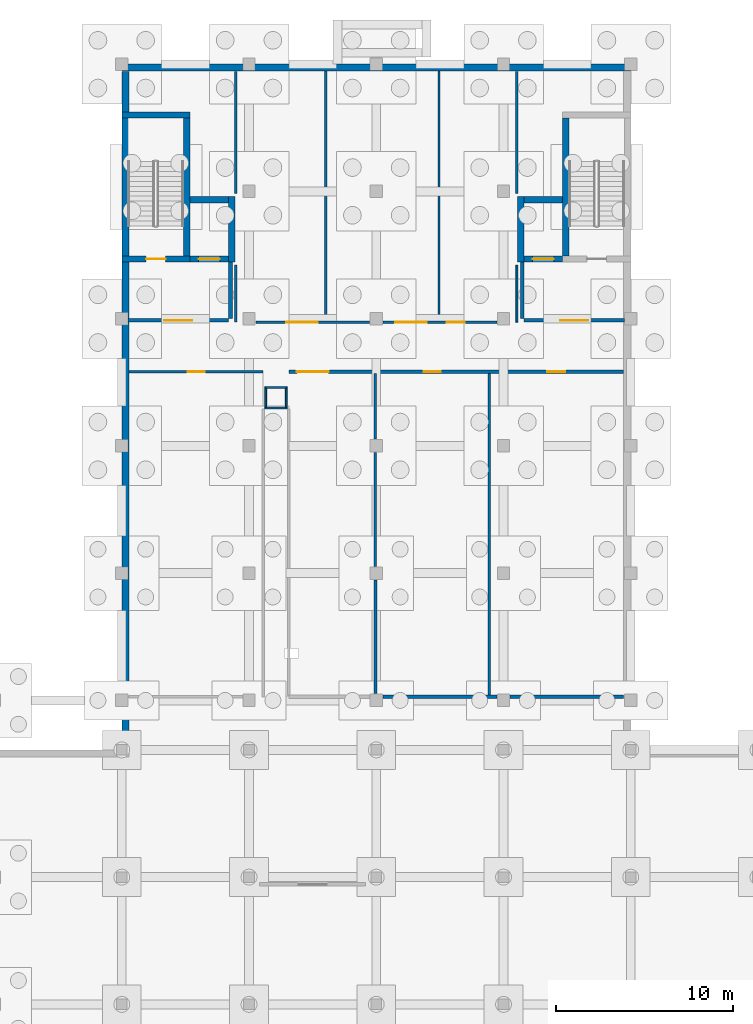
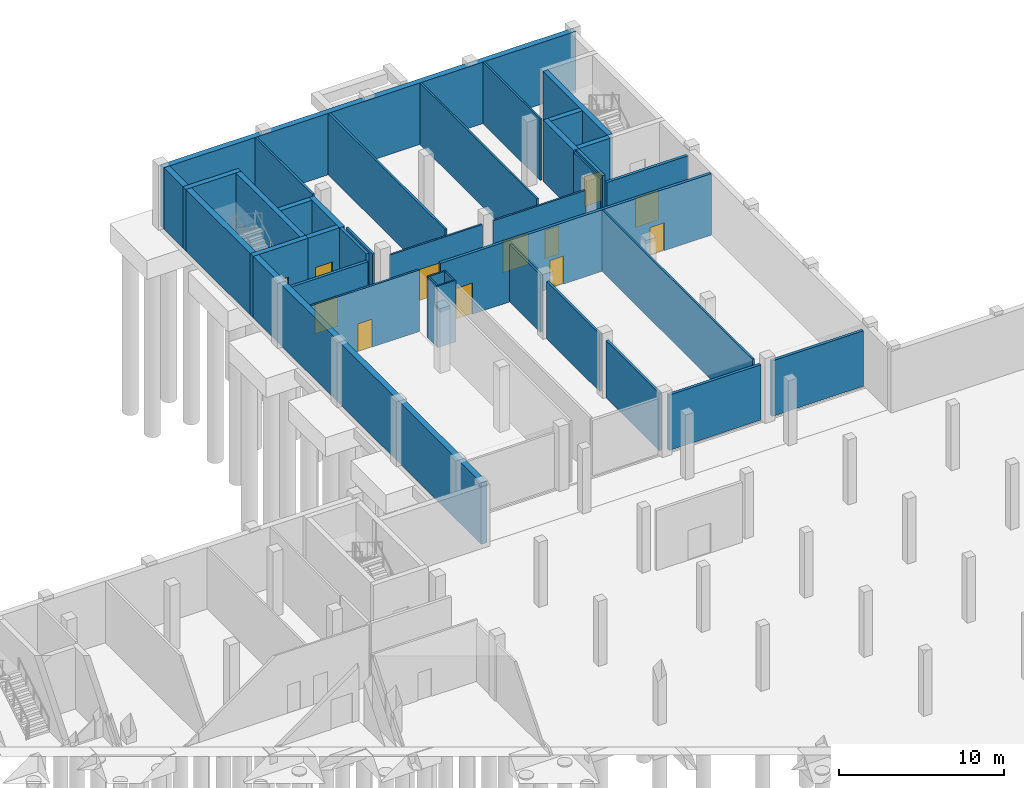
# One storey, part 22 of 35: 36 walls, 12 doors, 12 openings.
"""IFC4 building model written with IfcOpenShell, lengths in metres."""

from ifc_helpers import new_model, si_unit, direction, frame, frame_2d, origin, place, context, subcontext, project, spatial, rectangle, extrude, material, layer, layer_set, type_object, element, fill, save


model = new_model("IFC4")

# Units and contexts
model_context = context("Model", 3, precision=1e-05, world=origin(), true_north=direction((0.0, 1.0)))
body_context = subcontext(model_context, "Body", "Model", "MODEL_VIEW")
ifc_project = project(units=[si_unit("LENGTHUNIT", "METRE"), si_unit("AREAUNIT", "SQUARE_METRE"), si_unit("VOLUMEUNIT", "CUBIC_METRE"), si_unit("PLANEANGLEUNIT", "RADIAN"), si_unit("MASSUNIT", "GRAM", prefix="KILO")], contexts=[model_context])

# Site, building, storey
site_placement = place(None, origin())
site = spatial("IfcSite", under=ifc_project, at=site_placement, CompositionType="ELEMENT")
building_placement = place(site_placement, origin())
building = spatial("IfcBuilding", under=site, at=building_placement, Name="Zarrinpeak Specialist Clinic", CompositionType="ELEMENT")
storey_placement = place(building_placement, frame((0.0, 0.0, -4.800048828125)))
storey = spatial("IfcBuildingStorey", under=building, at=storey_placement, Name="B01", CompositionType="ELEMENT", Elevation=-4.800048828125)

# Wall, opening, door
ifc_material_1 = material(Name="Concrete C40/50", Category="concrete")
ifc_layer_1 = layer(ifc_material_1, 0.35009765625)
ifc_layer_set_1 = layer_set([ifc_layer_1], Name="Concrete C40/50")
wall_type_1 = type_object("IfcWallType", Name="WL-CR350", PredefinedType="SHEAR", material=ifc_layer_set_1)
wall_1_placement = place(storey_placement, frame((36.0, 106.97509765625, 0.0), z_axis=(0.0, 0.0, 1.0), x_axis=(1.0, 0.0, 0.0)))
wall_1 = element("IfcWall", 1, at=wall_1_placement, inside=storey, type_object=wall_type_1, Name="B01 Core C11 Shear Wall STS", PredefinedType="SHEAR", context=body_context, shape_type="SweptSolid", body=[
    extrude(rectangle(XDim=3.85009765625, YDim=0.35009765625, at=frame_2d((1.925048828125, 0.0))), origin(), (0.0, 0.0, 1.0), 4.545166015625),
])
opening_1_placement = place(wall_1_placement, frame((1.375, 0.0, 0.0)))
opening_1 = element("IfcOpeningElement", 2, at=opening_1_placement, cuts=wall_1, Name="Opening D-S02", PredefinedType="OPENING", context=body_context, shape_type="SweptSolid", body=[
    extrude(rectangle(XDim=1.10009765625, YDim=2.14990234375, at=frame_2d((0.550048828125, 1.074951171875))), frame((0.0, 0.18505859375, 0.0), z_axis=(0.0, -1.0, 0.0), x_axis=(1.0, 0.0, 0.0)), (0.0, 0.0, 1.0), 0.3701171875),
])
ifc_material_2 = material(Name="Powder-Coated Galvanised Steel", Category="steel")
door_type_1 = type_object("IfcDoorType", Name="DR-FD110", OperationType="SINGLE_SWING_RIGHT", PredefinedType="DOOR", material=ifc_material_2)
door_1_placement = place(opening_1_placement, origin())
door_1 = element("IfcDoor", 3, at=door_1_placement, inside=storey, type_object=door_type_1, Name="B01 Protected Stair ST-11 Fire Door", OperationType="SINGLE_SWING_RIGHT", OverallHeight=2.14990234375, OverallWidth=1.10009765625, PredefinedType="DOOR", context=body_context, shape_type="SweptSolid", body=[
    extrude(rectangle(XDim=1.10009765625, YDim=2.14990234375, at=frame_2d((0.550048828125, 1.074951171875))), frame((0.0, 0.02490234375, 0.0), z_axis=(0.0, -1.0, 0.0), x_axis=(1.0, 0.0, 0.0)), (0.0, 0.0, 1.0), 0.050048828125),
])
fill(opening_1, door_1)

# Walls
wall_2_placement = place(storey_placement, frame((36.0, 115.125, 0.0), z_axis=(0.0, 0.0, 1.0), x_axis=(1.0, 0.0, 0.0)))
element("IfcWall", 4, at=wall_2_placement, inside=storey, type_object=wall_type_1, Name="B01 Core C11 Shear Wall STN", PredefinedType="SHEAR", context=body_context, shape_type="SweptSolid", body=[
    extrude(rectangle(XDim=3.85009765625, YDim=0.35009765625, at=frame_2d((1.925048828125, 0.0))), origin(), (0.0, 0.0, 1.0), 4.545166015625),
])
wall_3_placement = place(storey_placement, frame((39.675048828125, 107.14990234375, 0.0), z_axis=(0.0, 0.0, 1.0), x_axis=(0.0, 1.0, 0.0)))
element("IfcWall", 5, at=wall_3_placement, inside=storey, type_object=wall_type_1, Name="B01 Core C11 Shear Wall STE", PredefinedType="SHEAR", context=body_context, shape_type="SweptSolid", body=[
    extrude(rectangle(XDim=7.800048828125, YDim=0.35009765625, at=frame_2d((3.89990234375, 0.0))), origin(), (0.0, 0.0, 1.0), 4.545166015625),
])

# Wall, opening, door
wall_4_placement = place(storey_placement, frame((39.85009765625, 106.97509765625, 0.0), z_axis=(0.0, 0.0, 1.0), x_axis=(1.0, 0.0, 0.0)))
wall_4 = element("IfcWall", 6, at=wall_4_placement, inside=storey, type_object=wall_type_1, Name="B01 Lift LF-P1 Shaft Wall LFS", PredefinedType="SHEAR", context=body_context, shape_type="SweptSolid", body=[
    extrude(rectangle(XDim=2.199951171875, YDim=0.35009765625, at=frame_2d((1.10009765625, 0.0))), origin(), (0.0, 0.0, 1.0), 4.545166015625),
])
opening_2_placement = place(wall_4_placement, frame((0.5, 0.0, 0.0)))
opening_2 = element("IfcOpeningElement", 7, at=opening_2_placement, cuts=wall_4, Name="Opening LD-02", PredefinedType="OPENING", context=body_context, shape_type="SweptSolid", body=[
    extrude(rectangle(XDim=1.199951171875, YDim=2.199951171875, at=frame_2d((0.60009765625, 1.10009765625))), frame((0.0, 0.18505859375, 0.0), z_axis=(0.0, -1.0, 0.0), x_axis=(1.0, 0.0, 0.0)), (0.0, 0.0, 1.0), 0.3701171875),
])
door_type_2 = type_object("IfcDoorType", Name="DR-LD120", OperationType="SLIDING_TO_RIGHT", PredefinedType="DOOR", material=ifc_material_2)
door_2_placement = place(opening_2_placement, origin())
door_2 = element("IfcDoor", 8, at=door_2_placement, inside=storey, type_object=door_type_2, Name="B01 Lift LF-P1 Sliding Landing Door", OperationType="SLIDING_TO_RIGHT", OverallHeight=2.199951171875, OverallWidth=1.199951171875, PredefinedType="DOOR", context=body_context, shape_type="SweptSolid", body=[
    extrude(rectangle(XDim=1.199951171875, YDim=2.199951171875, at=frame_2d((0.60009765625, 1.10009765625))), frame((0.0, 0.02490234375, 0.0), z_axis=(0.0, -1.0, 0.0), x_axis=(1.0, 0.0, 0.0)), (0.0, 0.0, 1.0), 0.050048828125),
])
fill(opening_2, door_2)

# Walls
wall_5_placement = place(storey_placement, frame((39.85009765625, 110.324951171875, 0.0), z_axis=(0.0, 0.0, 1.0), x_axis=(1.0, 0.0, 0.0)))
element("IfcWall", 9, at=wall_5_placement, inside=storey, type_object=wall_type_1, Name="B01 Lift LF-P1 Shaft Wall LFN", PredefinedType="SHEAR", context=body_context, shape_type="SweptSolid", body=[
    extrude(rectangle(XDim=2.199951171875, YDim=0.35009765625, at=frame_2d((1.10009765625, 0.0))), origin(), (0.0, 0.0, 1.0), 4.545166015625),
])
wall_6_placement = place(storey_placement, frame((42.22509765625, 106.800048828125, 0.0), z_axis=(0.0, 0.0, 1.0), x_axis=(0.0, 1.0, 0.0)))
element("IfcWall", 10, at=wall_6_placement, inside=storey, type_object=wall_type_1, Name="B01 Lift LF-P1 Shaft Wall LFE", PredefinedType="SHEAR", context=body_context, shape_type="SweptSolid", body=[
    extrude(rectangle(XDim=3.699951171875, YDim=0.35009765625, at=frame_2d((1.85009765625, 0.0))), origin(), (0.0, 0.0, 1.0), 4.545166015625),
])
wall_7_placement = place(storey_placement, frame((61.125, 107.14990234375, 0.0), z_axis=(0.0, 0.0, 1.0), x_axis=(0.0, 1.0, 0.0)))
element("IfcWall", 11, at=wall_7_placement, inside=storey, type_object=wall_type_1, Name="B01 Core C12 Shear Wall STW", PredefinedType="SHEAR", context=body_context, shape_type="SweptSolid", body=[
    extrude(rectangle(XDim=7.800048828125, YDim=0.35009765625, at=frame_2d((3.89990234375, 0.0))), origin(), (0.0, 0.0, 1.0), 4.545166015625),
])

# Wall, opening, door
wall_8_placement = place(storey_placement, frame((58.75, 106.97509765625, 0.0), z_axis=(0.0, 0.0, 1.0), x_axis=(1.0, 0.0, 0.0)))
wall_8 = element("IfcWall", 12, at=wall_8_placement, inside=storey, type_object=wall_type_1, Name="B01 Lift LF-P6 Shaft Wall LFS", PredefinedType="SHEAR", context=body_context, shape_type="SweptSolid", body=[
    extrude(rectangle(XDim=2.199951171875, YDim=0.35009765625, at=frame_2d((1.10009765625, 0.0))), origin(), (0.0, 0.0, 1.0), 4.545166015625),
])
opening_3_placement = place(wall_8_placement, frame((0.5, 0.0, 0.0)))
opening_3 = element("IfcOpeningElement", 13, at=opening_3_placement, cuts=wall_8, Name="Opening LD-02", PredefinedType="OPENING", context=body_context, shape_type="SweptSolid", body=[
    extrude(rectangle(XDim=1.199951171875, YDim=2.199951171875, at=frame_2d((0.60009765625, 1.10009765625))), frame((0.0, 0.18505859375, 0.0), z_axis=(0.0, -1.0, 0.0), x_axis=(1.0, 0.0, 0.0)), (0.0, 0.0, 1.0), 0.3701171875),
])
door_3_placement = place(opening_3_placement, origin())
door_3 = element("IfcDoor", 14, at=door_3_placement, inside=storey, type_object=door_type_2, Name="B01 Lift LF-P6 Sliding Landing Door", OperationType="SLIDING_TO_RIGHT", OverallHeight=2.199951171875, OverallWidth=1.199951171875, PredefinedType="DOOR", context=body_context, shape_type="SweptSolid", body=[
    extrude(rectangle(XDim=1.199951171875, YDim=2.199951171875, at=frame_2d((0.60009765625, 1.10009765625))), frame((0.0, 0.02490234375, 0.0), z_axis=(0.0, -1.0, 0.0), x_axis=(1.0, 0.0, 0.0)), (0.0, 0.0, 1.0), 0.050048828125),
])
fill(opening_3, door_3)

# Walls
wall_9_placement = place(storey_placement, frame((58.75, 110.324951171875, 0.0), z_axis=(0.0, 0.0, 1.0), x_axis=(1.0, 0.0, 0.0)))
element("IfcWall", 15, at=wall_9_placement, inside=storey, type_object=wall_type_1, Name="B01 Lift LF-P6 Shaft Wall LFN", PredefinedType="SHEAR", context=body_context, shape_type="SweptSolid", body=[
    extrude(rectangle(XDim=2.199951171875, YDim=0.35009765625, at=frame_2d((1.10009765625, 0.0))), origin(), (0.0, 0.0, 1.0), 4.545166015625),
])
wall_10_placement = place(storey_placement, frame((58.574951171875, 106.800048828125, 0.0), z_axis=(0.0, 0.0, 1.0), x_axis=(0.0, 1.0, 0.0)))
element("IfcWall", 16, at=wall_10_placement, inside=storey, type_object=wall_type_1, Name="B01 Lift LF-P6 Shaft Wall LFW", PredefinedType="SHEAR", context=body_context, shape_type="SweptSolid", body=[
    extrude(rectangle(XDim=3.699951171875, YDim=0.35009765625, at=frame_2d((1.85009765625, 0.0))), origin(), (0.0, 0.0, 1.0), 4.545166015625),
])
ifc_material_3 = material(Name="Sanitary Service Chase Plumbing Wall", Category="gypsum")
ifc_layer_2 = layer(ifc_material_3, 0.110107421875)
ifc_layer_set_2 = layer_set([ifc_layer_2], Name="Sanitary Service Chase Plumbing Wall")
wall_type_2 = type_object("IfcWallType", Name="WL-IW110", PredefinedType="PARTITIONING", material=ifc_layer_set_2)
for number, where, z_axis, x_axis, name in (
    (17, (44.090087890625, 98.544921875, 0.0), (0.0, 0.0, 1.0), (1.0, 0.0, 0.0), "B01 V6 Enclosed MEP Service Riser Wall S"),
    (18, (44.090087890625, 99.705078125, 0.0), (0.0, 0.0, 1.0), (1.0, 0.0, 0.0), "B01 V6 Enclosed MEP Service Riser Wall N"),
):
    element("IfcWall", number, at=place(storey_placement, frame(where, z_axis=z_axis, x_axis=x_axis)), inside=storey, type_object=wall_type_2, Name=name, PredefinedType="PARTITIONING", context=body_context, shape_type="SweptSolid", body=[
        extrude(rectangle(XDim=1.27001953125, YDim=0.110107421875, at=frame_2d((0.635009765625, 0.0))), origin(), (0.0, 0.0, 1.0), 4.5400390625),
    ])
for number, where, z_axis, x_axis, name in (
    (19, (44.14501953125, 98.60009765625, 0.0), (0.0, 0.0, 1.0), (0.0, 1.0, 0.0), "B01 V6 Enclosed MEP Service Riser Wall W"),
    (20, (45.304931640625, 98.60009765625, 0.0), (0.0, 0.0, 1.0), (0.0, 1.0, 0.0), "B01 V6 Enclosed MEP Service Riser Wall E"),
):
    element("IfcWall", number, at=place(storey_placement, frame(where, z_axis=z_axis, x_axis=x_axis)), inside=storey, type_object=wall_type_2, Name=name, PredefinedType="PARTITIONING", context=body_context, shape_type="SweptSolid", body=[
        extrude(rectangle(XDim=1.0498046875, YDim=0.110107421875, at=frame_2d((0.52490234375, 0.0))), origin(), (0.0, 0.0, 1.0), 4.5400390625),
    ])
wall_11_placement = place(storey_placement, frame((58.35009765625, 103.39990234375, 0.0), z_axis=(0.0, 0.0, 1.0), x_axis=(0.0, 1.0, 0.0)))
element("IfcWall", 21, at=wall_11_placement, inside=storey, type_object=wall_type_2, Name="B01 Accessible Lab Staff WC Dividing Partition", PredefinedType="PARTITIONING", context=body_context, shape_type="SweptSolid", body=[
    extrude(rectangle(XDim=3.22509765625, YDim=0.110107421875, at=frame_2d((1.612548828125, 0.0))), origin(), (0.0, 0.0, 1.0), 4.545166015625),
])

# Wall, opening, door
ifc_material_4 = material(Name="Moisture-Resistant Wet-Room Partition", Category="gypsum")
ifc_layer_3 = layer(ifc_material_4, 0.125)
ifc_layer_set_3 = layer_set([ifc_layer_3], Name="Moisture-Resistant Wet-Room Partition")
wall_type_3 = type_object("IfcWallType", Name="WL-IW125W", PredefinedType="PARTITIONING", material=ifc_layer_set_3)
wall_12_placement = place(storey_placement, frame((43.580078125, 103.39990234375, 0.0), z_axis=(0.0, 0.0, 1.0), x_axis=(1.0, 0.0, 0.0)))
wall_12 = element("IfcWall", 22, at=wall_12_placement, inside=storey, type_object=wall_type_3, Name="B01 Accessible Lab Staff WC Partition", PredefinedType="PARTITIONING", context=body_context, shape_type="SweptSolid", body=[
    extrude(rectangle(XDim=6.43994140625, YDim=0.125, at=frame_2d((3.219970703125, 0.0))), origin(), (0.0, 0.0, 1.0), 4.094970703125),
])
opening_4_placement = place(wall_12_placement, frame((1.719970703125, 0.0, 0.0)))
opening_4 = element("IfcOpeningElement", 23, at=opening_4_placement, cuts=wall_12, Name="Opening D-P01", PredefinedType="OPENING", context=body_context, shape_type="SweptSolid", body=[
    extrude(rectangle(XDim=1.800048828125, YDim=2.300048828125, at=frame_2d((0.89990234375, 1.14990234375))), frame((0.0, 0.072509765625, 0.0), z_axis=(0.0, -1.0, 0.0), x_axis=(1.0, 0.0, 0.0)), (0.0, 0.0, 1.0), 0.14501953125),
])
door_type_3 = type_object("IfcDoorType", Name="DR-PLT180", OperationType="DOUBLE_DOOR_SINGLE_SWING", PredefinedType="DOOR", material=ifc_material_2)
door_4_placement = place(opening_4_placement, frame((1.800048828125, 0.0, 0.0), z_axis=(0.0, 0.0, 1.0), x_axis=(-1.0, 0.0, 0.0)))
door_4 = element("IfcDoor", 24, at=door_4_placement, inside=storey, type_object=door_type_3, Name="B01 Biobank Cryogenic Freezer Vault Door", OperationType="DOUBLE_DOOR_SINGLE_SWING", OverallHeight=2.300048828125, OverallWidth=1.800048828125, PredefinedType="DOOR", context=body_context, shape_type="SweptSolid", body=[
    extrude(rectangle(XDim=1.800048828125, YDim=2.300048828125, at=frame_2d((0.89990234375, 1.14990234375))), frame((0.0, 0.02490234375, 0.0), z_axis=(0.0, -1.0, 0.0), x_axis=(1.0, 0.0, 0.0)), (0.0, 0.0, 1.0), 0.050048828125),
])
fill(opening_4, door_4)

# Wall, openings, doors
wall_13_placement = place(storey_placement, frame((50.780029296875, 103.39990234375, 0.0), z_axis=(0.0, 0.0, 1.0), x_axis=(1.0, 0.0, 0.0)))
wall_13 = element("IfcWall", 25, at=wall_13_placement, inside=storey, type_object=wall_type_3, Name="B01 Accessible Lab Staff WC Partition", PredefinedType="PARTITIONING", context=body_context, shape_type="SweptSolid", body=[
    extrude(rectangle(XDim=6.43994140625, YDim=0.125, at=frame_2d((3.219970703125, 0.0))), origin(), (0.0, 0.0, 1.0), 4.094970703125),
])
opening_5_placement = place(wall_13_placement, frame((3.6201171875, 0.0, 0.0)))
opening_5 = element("IfcOpeningElement", 26, at=opening_5_placement, cuts=wall_13, Name="Opening D-W02", PredefinedType="OPENING", context=body_context, shape_type="SweptSolid", body=[
    extrude(rectangle(XDim=1.0, YDim=2.10009765625, at=frame_2d((0.5, 1.050048828125))), frame((0.0, 0.072509765625, 0.0), z_axis=(0.0, -1.0, 0.0), x_axis=(1.0, 0.0, 0.0)), (0.0, 0.0, 1.0), 0.14501953125),
])
opening_6_placement = place(wall_13_placement, frame((0.68505859375, 0.0, 0.0)))
opening_6 = element("IfcOpeningElement", 27, at=opening_6_placement, cuts=wall_13, Name="Opening D-P01", PredefinedType="OPENING", context=body_context, shape_type="SweptSolid", body=[
    extrude(rectangle(XDim=1.800048828125, YDim=2.300048828125, at=frame_2d((0.89990234375, 1.14990234375))), frame((0.0, 0.072509765625, 0.0), z_axis=(0.0, -1.0, 0.0), x_axis=(1.0, 0.0, 0.0)), (0.0, 0.0, 1.0), 0.14501953125),
])
door_type_4 = type_object("IfcDoorType", Name="DR-AWC100", OperationType="SLIDING_TO_LEFT", PredefinedType="DOOR", material=ifc_material_2)
door_5_placement = place(opening_5_placement, frame((1.0, 0.0, 0.0), z_axis=(0.0, 0.0, 1.0), x_axis=(-1.0, 0.0, 0.0)))
door_5 = element("IfcDoor", 28, at=door_5_placement, inside=storey, type_object=door_type_4, Name="B01 Accessible Lab Staff WC Door", OperationType="SLIDING_TO_LEFT", OverallHeight=2.10009765625, OverallWidth=1.0, PredefinedType="DOOR", context=body_context, shape_type="SweptSolid", body=[
    extrude(rectangle(XDim=1.0, YDim=2.10009765625, at=frame_2d((0.5, 1.050048828125))), frame((0.0, 0.02490234375, 0.0), z_axis=(0.0, -1.0, 0.0), x_axis=(1.0, 0.0, 0.0)), (0.0, 0.0, 1.0), 0.050048828125),
])
fill(opening_5, door_5)
door_6_placement = place(opening_6_placement, frame((1.800048828125, 0.0, 0.0), z_axis=(0.0, 0.0, 1.0), x_axis=(-1.0, 0.0, 0.0)))
door_6 = element("IfcDoor", 29, at=door_6_placement, inside=storey, type_object=door_type_3, Name="B01 Laboratory Chemical Store Door", OperationType="DOUBLE_DOOR_SINGLE_SWING", OverallHeight=2.300048828125, OverallWidth=1.800048828125, PredefinedType="DOOR", context=body_context, shape_type="SweptSolid", body=[
    extrude(rectangle(XDim=1.800048828125, YDim=2.300048828125, at=frame_2d((0.89990234375, 1.14990234375))), frame((0.0, 0.02490234375, 0.0), z_axis=(0.0, -1.0, 0.0), x_axis=(1.0, 0.0, 0.0)), (0.0, 0.0, 1.0), 0.050048828125),
])
fill(opening_6, door_6)

# Walls
wall_14_placement = place(storey_placement, frame((53.949951171875, 103.46240234375, 0.0), z_axis=(0.0, 0.0, 1.0), x_axis=(0.0, 1.0, 0.0)))
element("IfcWall", 30, at=wall_14_placement, inside=storey, type_object=wall_type_3, Name="B01 Accessible Lab Staff WC Dividing Partition", PredefinedType="PARTITIONING", context=body_context, shape_type="SweptSolid", body=[
    extrude(rectangle(XDim=14.1376953125, YDim=0.125, at=frame_2d((7.06884765625, 0.0))), origin(), (0.0, 0.0, 1.0), 4.545166015625),
])
wall_15_placement = place(storey_placement, frame((58.35009765625, 110.675048828125, 0.0), z_axis=(0.0, 0.0, 1.0), x_axis=(0.0, 1.0, 0.0)))
element("IfcWall", 31, at=wall_15_placement, inside=storey, type_object=wall_type_3, Name="B01 Accessible Lab Staff WC Dividing Partition", PredefinedType="PARTITIONING", context=body_context, shape_type="SweptSolid", body=[
    extrude(rectangle(XDim=6.925048828125, YDim=0.125, at=frame_2d((3.46240234375, 0.0))), origin(), (0.0, 0.0, 1.0), 4.545166015625),
])
ifc_material_5 = material(Name="Standard Drywall Partition", Category="gypsum")
ifc_layer_4 = layer(ifc_material_5, 0.135009765625)
ifc_layer_set_4 = layer_set([ifc_layer_4], Name="Standard Drywall Partition")
wall_type_4 = type_object("IfcWallType", Name="WL-IW135", PredefinedType="PARTITIONING", material=ifc_layer_set_4)
wall_16_placement = place(storey_placement, frame((56.800048828125, 82.300048828125, 0.0), z_axis=(0.0, 0.0, 1.0), x_axis=(0.0, 1.0, 0.0)))
element("IfcWall", 32, at=wall_16_placement, inside=storey, type_object=wall_type_4, Name="B01 Specialist Consultation Room 1 Dividing Partition", PredefinedType="PARTITIONING", context=body_context, shape_type="SweptSolid", body=[
    extrude(rectangle(XDim=18.199951171875, YDim=0.135009765625, at=frame_2d((9.10009765625, 0.0))), origin(), (0.0, 0.0, 1.0), 4.545166015625),
])

# Wall, opening, door
ifc_material_6 = material(Name="Acoustic Consultation Stud Partition", Category="gypsum")
ifc_layer_5 = layer(ifc_material_6, 0.14208984375)
ifc_layer_set_5 = layer_set([ifc_layer_5], Name="Acoustic Consultation Stud Partition")
wall_type_5 = type_object("IfcWallType", Name="WL-IW142", PredefinedType="PARTITIONING", material=ifc_layer_set_5)
wall_17_placement = place(storey_placement, frame((36.419921875, 100.60009765625, 0.0), z_axis=(0.0, 0.0, 1.0), x_axis=(1.0, 0.0, 0.0)))
wall_17 = element("IfcWall", 33, at=wall_17_placement, inside=storey, type_object=wall_type_5, Name="B01 Specialist Consultation Room 2 Partition", PredefinedType="PARTITIONING", context=body_context, shape_type="SweptSolid", body=[
    extrude(rectangle(XDim=7.580078125, YDim=0.14208984375, at=frame_2d((3.7900390625, 0.0))), origin(), (0.0, 0.0, 1.0), 4.545166015625),
])
opening_7_placement = place(wall_17_placement, frame((3.298095703125, 0.0, 0.0)))
opening_7 = element("IfcOpeningElement", 34, at=opening_7_placement, cuts=wall_17, Name="Opening DS-18", PredefinedType="OPENING", context=body_context, shape_type="SweptSolid", body=[
    extrude(rectangle(XDim=0.98388671875, YDim=2.068115234375, at=frame_2d((0.491943359375, 1.0341796875))), frame((0.0, 0.0810546875, 0.0), z_axis=(0.0, -1.0, 0.0), x_axis=(1.0, 0.0, 0.0)), (0.0, 0.0, 1.0), 0.162109375),
])
door_type_5 = type_object("IfcDoorType", Name="DR-SP18", OperationType="SINGLE_SWING_LEFT", PredefinedType="DOOR", material=ifc_material_2)
door_7_placement = place(opening_7_placement, origin())
door_7 = element("IfcDoor", 35, at=door_7_placement, inside=storey, type_object=door_type_5, Name="B01 Specialist Consultation Room 2 Door", OperationType="SINGLE_SWING_LEFT", OverallHeight=2.068115234375, OverallWidth=0.98388671875, PredefinedType="DOOR", context=body_context, shape_type="SweptSolid", body=[
    extrude(rectangle(XDim=0.98388671875, YDim=2.068115234375, at=frame_2d((0.491943359375, 1.0341796875))), frame((0.0, 0.02490234375, 0.0), z_axis=(0.0, -1.0, 0.0), x_axis=(1.0, 0.0, 0.0)), (0.0, 0.0, 1.0), 0.050048828125),
])
fill(opening_7, door_7)

# Walls
wall_18_placement = place(storey_placement, frame((42.449951171875, 110.675048828125, 0.0), z_axis=(0.0, 0.0, 1.0), x_axis=(0.0, 1.0, 0.0)))
element("IfcWall", 36, at=wall_18_placement, inside=storey, type_object=wall_type_5, Name="B01 Biobank Cryogenic Freezer Vault Dividing Partition", PredefinedType="PARTITIONING", context=body_context, shape_type="SweptSolid", body=[
    extrude(rectangle(XDim=6.925048828125, YDim=0.14208984375, at=frame_2d((3.46240234375, 0.0))), origin(), (0.0, 0.0, 1.0), 4.545166015625),
])
wall_19_placement = place(storey_placement, frame((47.550048828125, 103.46240234375, 0.0), z_axis=(0.0, 0.0, 1.0), x_axis=(0.0, 1.0, 0.0)))
element("IfcWall", 37, at=wall_19_placement, inside=storey, type_object=wall_type_5, Name="B01 Biobank Cryogenic Freezer Vault Dividing Partition", PredefinedType="PARTITIONING", context=body_context, shape_type="SweptSolid", body=[
    extrude(rectangle(XDim=14.1376953125, YDim=0.14208984375, at=frame_2d((7.06884765625, 0.0))), origin(), (0.0, 0.0, 1.0), 4.545166015625),
])
wall_20_placement = place(storey_placement, frame((50.35009765625, 96.780029296875, 0.0), z_axis=(0.0, 0.0, 1.0), x_axis=(0.0, 1.0, 0.0)))
element("IfcWall", 38, at=wall_20_placement, inside=storey, type_object=wall_type_5, Name="B01 Autoclave Glassware Wash Plant Dividing Partition", PredefinedType="PARTITIONING", context=body_context, shape_type="SweptSolid", body=[
    extrude(rectangle(XDim=3.719970703125, YDim=0.14208984375, at=frame_2d((1.85986328125, 0.0))), origin(), (0.0, 0.0, 1.0), 4.2451171875),
])
ifc_material_7 = material(Name="Insulated Clinical Gypsum Stud Partition", Category="gypsum")
ifc_layer_6 = layer(ifc_material_7, 0.14990234375)
ifc_layer_set_6 = layer_set([ifc_layer_6], Name="Insulated Clinical Gypsum Stud Partition")
wall_type_6 = type_object("IfcWallType", Name="WL-IW150", PredefinedType="PARTITIONING", material=ifc_layer_set_6)
wall_21_placement = place(storey_placement, frame((42.449951171875, 103.39990234375, 0.0), z_axis=(0.0, 0.0, 1.0), x_axis=(0.0, 1.0, 0.0)))
element("IfcWall", 39, at=wall_21_placement, inside=storey, type_object=wall_type_6, Name="B01 Biobank Cryogenic Freezer Vault Dividing Partition", PredefinedType="PARTITIONING", context=body_context, shape_type="SweptSolid", body=[
    extrude(rectangle(XDim=3.22509765625, YDim=0.14990234375, at=frame_2d((1.612548828125, 0.0))), origin(), (0.0, 0.0, 1.0), 4.545166015625),
])
wall_22_placement = place(storey_placement, frame((50.35009765625, 89.580078125, 0.0), z_axis=(0.0, 0.0, 1.0), x_axis=(0.0, 1.0, 0.0)))
element("IfcWall", 40, at=wall_22_placement, inside=storey, type_object=wall_type_6, Name="B01 Autoclave Glassware Wash Plant Dividing Partition", PredefinedType="PARTITIONING", context=body_context, shape_type="SweptSolid", body=[
    extrude(rectangle(XDim=6.43994140625, YDim=0.14990234375, at=frame_2d((3.219970703125, 0.0))), origin(), (0.0, 0.0, 1.0), 4.2451171875),
])
ifc_material_8 = material(Name="Acoustic Double Gypsum Stud Partition", Category="gypsum")
ifc_layer_7 = layer(ifc_material_8, 0.159912109375)
ifc_layer_set_7 = layer_set([ifc_layer_7], Name="Acoustic Double Gypsum Stud Partition")
wall_type_7 = type_object("IfcWallType", Name="WL-IW160", PredefinedType="PARTITIONING", material=ifc_layer_set_7)
wall_23_placement = place(storey_placement, frame((50.35009765625, 82.3798828125, 0.0), z_axis=(0.0, 0.0, 1.0), x_axis=(0.0, 1.0, 0.0)))
element("IfcWall", 41, at=wall_23_placement, inside=storey, type_object=wall_type_7, Name="B01 Autoclave Glassware Wash Plant Dividing Partition", PredefinedType="PARTITIONING", context=body_context, shape_type="SweptSolid", body=[
    extrude(rectangle(XDim=6.440185546875, YDim=0.159912109375, at=frame_2d((3.22021484375, 0.0))), origin(), (0.0, 0.0, 1.0), 4.2451171875),
])

# Wall, opening, door
ifc_material_9 = material(Name="Autoclaved Aerated Concrete Blockwork", Category="masonry")
ifc_layer_8 = layer(ifc_material_9, 0.199951171875)
ifc_layer_set_8 = layer_set([ifc_layer_8], Name="Autoclaved Aerated Concrete Blockwork")
wall_type_8 = type_object("IfcWallType", Name="WL-IW200", PredefinedType="PARTITIONING", material=ifc_layer_set_8)
wall_24_placement = place(storey_placement, frame((36.35009765625, 103.5, 0.0), z_axis=(0.0, 0.0, 1.0), x_axis=(1.0, 0.0, 0.0)))
wall_24 = element("IfcWall", 42, at=wall_24_placement, inside=storey, type_object=wall_type_8, Name="B01 C11 Protected Lobby Partition LBF", PredefinedType="PARTITIONING", context=body_context, shape_type="SweptSolid", body=[
    extrude(rectangle(XDim=5.699951171875, YDim=0.199951171875, at=frame_2d((2.85009765625, 0.0))), origin(), (0.0, 0.0, 1.0), 4.094970703125),
])
opening_8_placement = place(wall_24_placement, frame((2.050048828125, 0.0, 0.0)))
opening_8 = element("IfcOpeningElement", 43, at=opening_8_placement, cuts=wall_24, Name="Opening D-L01", PredefinedType="OPENING", context=body_context, shape_type="SweptSolid", body=[
    extrude(rectangle(XDim=1.60009765625, YDim=2.199951171875, at=frame_2d((0.800048828125, 1.10009765625))), frame((0.0, 0.10986328125, 0.0), z_axis=(0.0, -1.0, 0.0), x_axis=(1.0, 0.0, 0.0)), (0.0, 0.0, 1.0), 0.219970703125),
])
door_type_6 = type_object("IfcDoorType", Name="DR-LB160", OperationType="DOUBLE_DOOR_SINGLE_SWING", PredefinedType="DOOR", material=ifc_material_2)
door_8_placement = place(opening_8_placement, origin())
door_8 = element("IfcDoor", 44, at=door_8_placement, inside=storey, type_object=door_type_6, Name="B01 C11 Lobby Hold-Open Fire Door", OperationType="DOUBLE_DOOR_SINGLE_SWING", OverallHeight=2.199951171875, OverallWidth=1.60009765625, PredefinedType="DOOR", context=body_context, shape_type="SweptSolid", body=[
    extrude(rectangle(XDim=1.60009765625, YDim=2.199951171875, at=frame_2d((0.800048828125, 1.10009765625))), frame((0.0, 0.02490234375, 0.0), z_axis=(0.0, -1.0, 0.0), x_axis=(1.0, 0.0, 0.0)), (0.0, 0.0, 1.0), 0.050048828125),
])
fill(opening_8, door_8)

# Wall
wall_25_placement = place(storey_placement, frame((42.14990234375, 103.60009765625, 0.0), z_axis=(0.0, 0.0, 1.0), x_axis=(0.0, 1.0, 0.0)))
element("IfcWall", 45, at=wall_25_placement, inside=storey, type_object=wall_type_8, Name="B01 C11 Protected Lobby Partition LBE", PredefinedType="PARTITIONING", context=body_context, shape_type="SweptSolid", body=[
    extrude(rectangle(XDim=3.199951171875, YDim=0.199951171875, at=frame_2d((1.60009765625, 0.0))), origin(), (0.0, 0.0, 1.0), 4.545166015625),
])

# Wall, opening, door
wall_26_placement = place(storey_placement, frame((58.75, 103.5, 0.0), z_axis=(0.0, 0.0, 1.0), x_axis=(1.0, 0.0, 0.0)))
wall_26 = element("IfcWall", 46, at=wall_26_placement, inside=storey, type_object=wall_type_8, Name="B01 C12 Protected Lobby Partition LBF", PredefinedType="PARTITIONING", context=body_context, shape_type="SweptSolid", body=[
    extrude(rectangle(XDim=5.699951171875, YDim=0.199951171875, at=frame_2d((2.85009765625, 0.0))), origin(), (0.0, 0.0, 1.0), 4.094970703125),
])
opening_9_placement = place(wall_26_placement, frame((2.050048828125, 0.0, 0.0)))
opening_9 = element("IfcOpeningElement", 47, at=opening_9_placement, cuts=wall_26, Name="Opening D-L01", PredefinedType="OPENING", context=body_context, shape_type="SweptSolid", body=[
    extrude(rectangle(XDim=1.60009765625, YDim=2.199951171875, at=frame_2d((0.800048828125, 1.10009765625))), frame((0.0, 0.10986328125, 0.0), z_axis=(0.0, -1.0, 0.0), x_axis=(1.0, 0.0, 0.0)), (0.0, 0.0, 1.0), 0.219970703125),
])
door_9_placement = place(opening_9_placement, origin())
door_9 = element("IfcDoor", 48, at=door_9_placement, inside=storey, type_object=door_type_6, Name="B01 C12 Lobby Hold-Open Fire Door", OperationType="DOUBLE_DOOR_SINGLE_SWING", OverallHeight=2.199951171875, OverallWidth=1.60009765625, PredefinedType="DOOR", context=body_context, shape_type="SweptSolid", body=[
    extrude(rectangle(XDim=1.60009765625, YDim=2.199951171875, at=frame_2d((0.800048828125, 1.10009765625))), frame((0.0, 0.02490234375, 0.0), z_axis=(0.0, -1.0, 0.0), x_axis=(1.0, 0.0, 0.0)), (0.0, 0.0, 1.0), 0.050048828125),
])
fill(opening_9, door_9)

# Walls
wall_27_placement = place(storey_placement, frame((58.64990234375, 103.60009765625, 0.0), z_axis=(0.0, 0.0, 1.0), x_axis=(0.0, 1.0, 0.0)))
element("IfcWall", 49, at=wall_27_placement, inside=storey, type_object=wall_type_8, Name="B01 C12 Protected Lobby Partition LBW", PredefinedType="PARTITIONING", context=body_context, shape_type="SweptSolid", body=[
    extrude(rectangle(XDim=3.199951171875, YDim=0.199951171875, at=frame_2d((1.60009765625, 0.0))), origin(), (0.0, 0.0, 1.0), 4.545166015625),
])
wall_28_placement = place(storey_placement, frame((50.780029296875, 82.199951171875, 0.0), z_axis=(0.0, 0.0, 1.0), x_axis=(1.0, 0.0, 0.0)))
element("IfcWall", 50, at=wall_28_placement, inside=storey, type_object=wall_type_8, Name="B01 Autoclave Glassware Wash Plant Partition", PredefinedType="PARTITIONING", context=body_context, shape_type="SweptSolid", body=[
    extrude(rectangle(XDim=6.43994140625, YDim=0.199951171875, at=frame_2d((3.219970703125, 0.0))), origin(), (0.0, 0.0, 1.0), 4.094970703125),
])
wall_29_placement = place(storey_placement, frame((57.97998046875, 82.199951171875, 0.0), z_axis=(0.0, 0.0, 1.0), x_axis=(1.0, 0.0, 0.0)))
element("IfcWall", 51, at=wall_29_placement, inside=storey, type_object=wall_type_8, Name="B01 Autoclave Glassware Wash Plant Partition", PredefinedType="PARTITIONING", context=body_context, shape_type="SweptSolid", body=[
    extrude(rectangle(XDim=6.39990234375, YDim=0.199951171875, at=frame_2d((3.199951171875, 0.0))), origin(), (0.0, 0.0, 1.0), 4.094970703125),
])

# Wall, openings, doors
wall_30_placement = place(storey_placement, frame((45.449951171875, 100.60009765625, 0.0), z_axis=(0.0, 0.0, 1.0), x_axis=(1.0, 0.0, 0.0)))
wall_30 = element("IfcWall", 52, at=wall_30_placement, inside=storey, type_object=wall_type_8, Name="B01 Autoclave Glassware Wash Plant Partition", PredefinedType="PARTITIONING", context=body_context, shape_type="SweptSolid", body=[
    extrude(rectangle(XDim=18.929931640625, YDim=0.199951171875, at=frame_2d((9.46484375, 0.0))), origin(), (0.0, 0.0, 1.0), 4.545166015625),
])
opening_10_placement = place(wall_30_placement, frame((0.449951171875, 0.0, 0.0)))
opening_10 = element("IfcOpeningElement", 53, at=opening_10_placement, cuts=wall_30, Name="Opening D-P01", PredefinedType="OPENING", context=body_context, shape_type="SweptSolid", body=[
    extrude(rectangle(XDim=1.800048828125, YDim=2.300048828125, at=frame_2d((0.89990234375, 1.14990234375))), frame((0.0, 0.10986328125, 0.0), z_axis=(0.0, -1.0, 0.0), x_axis=(1.0, 0.0, 0.0)), (0.0, 0.0, 1.0), 0.219970703125),
])
opening_11_placement = place(wall_30_placement, frame((7.64599609375, 0.0, 0.0)))
opening_11 = element("IfcOpeningElement", 54, at=opening_11_placement, cuts=wall_30, Name="Opening DS-17", PredefinedType="OPENING", context=body_context, shape_type="SweptSolid", body=[
    extrude(rectangle(XDim=0.9580078125, YDim=2.068115234375, at=frame_2d((0.47900390625, 1.0341796875))), frame((0.0, 0.10986328125, 0.0), z_axis=(0.0, -1.0, 0.0), x_axis=(1.0, 0.0, 0.0)), (0.0, 0.0, 1.0), 0.219970703125),
])
opening_12_placement = place(wall_30_placement, frame((14.635009765625, 0.0, 0.0)))
opening_12 = element("IfcOpeningElement", 55, at=opening_12_placement, cuts=wall_30, Name="Opening DS-19", PredefinedType="OPENING", context=body_context, shape_type="SweptSolid", body=[
    extrude(rectangle(XDim=1.010009765625, YDim=2.068115234375, at=frame_2d((0.5048828125, 1.0341796875))), frame((0.0, 0.10986328125, 0.0), z_axis=(0.0, -1.0, 0.0), x_axis=(1.0, 0.0, 0.0)), (0.0, 0.0, 1.0), 0.219970703125),
])
door_10_placement = place(opening_10_placement, origin())
door_10 = element("IfcDoor", 56, at=door_10_placement, inside=storey, type_object=door_type_3, Name="B01 Autoclave Glassware Wash Plant Door", OperationType="DOUBLE_DOOR_SINGLE_SWING", OverallHeight=2.300048828125, OverallWidth=1.800048828125, PredefinedType="DOOR", context=body_context, shape_type="SweptSolid", body=[
    extrude(rectangle(XDim=1.800048828125, YDim=2.300048828125, at=frame_2d((0.89990234375, 1.14990234375))), frame((0.0, 0.02490234375, 0.0), z_axis=(0.0, -1.0, 0.0), x_axis=(1.0, 0.0, 0.0)), (0.0, 0.0, 1.0), 0.050048828125),
])
fill(opening_10, door_10)
door_type_7 = type_object("IfcDoorType", Name="DR-SP17", OperationType="SINGLE_SWING_RIGHT", PredefinedType="DOOR", material=ifc_material_2)
door_11_placement = place(opening_11_placement, origin())
door_11 = element("IfcDoor", 57, at=door_11_placement, inside=storey, type_object=door_type_7, Name="B01 Specialist Consultation Room 1 Door", OperationType="SINGLE_SWING_RIGHT", OverallHeight=2.068115234375, OverallWidth=0.9580078125, PredefinedType="DOOR", context=body_context, shape_type="SweptSolid", body=[
    extrude(rectangle(XDim=0.9580078125, YDim=2.068115234375, at=frame_2d((0.47900390625, 1.0341796875))), frame((0.0, 0.02490234375, 0.0), z_axis=(0.0, -1.0, 0.0), x_axis=(1.0, 0.0, 0.0)), (0.0, 0.0, 1.0), 0.050048828125),
])
fill(opening_11, door_11)
door_type_8 = type_object("IfcDoorType", Name="DR-SP19", OperationType="SINGLE_SWING_RIGHT", PredefinedType="DOOR", material=ifc_material_2)
door_12_placement = place(opening_12_placement, origin())
door_12 = element("IfcDoor", 58, at=door_12_placement, inside=storey, type_object=door_type_8, Name="B01 Specialist Consultation Room 3 Door", OperationType="SINGLE_SWING_RIGHT", OverallHeight=2.068115234375, OverallWidth=1.010009765625, PredefinedType="DOOR", context=body_context, shape_type="SweptSolid", body=[
    extrude(rectangle(XDim=1.010009765625, YDim=2.068115234375, at=frame_2d((0.5048828125, 1.0341796875))), frame((0.0, 0.02490234375, 0.0), z_axis=(0.0, -1.0, 0.0), x_axis=(1.0, 0.0, 0.0)), (0.0, 0.0, 1.0), 0.050048828125),
])
fill(opening_12, door_12)

# Walls
ifc_layer_9 = layer(ifc_material_1, 0.39990234375)
ifc_layer_set_9 = layer_set([ifc_layer_9], Name="Concrete C40/50")
wall_type_9 = type_object("IfcWallType", Name="WL-RET400", PredefinedType="USERDEFINED", material=ifc_layer_set_9)
wall_31_placement = place(storey_placement, frame((64.800048828125, 117.800048828125, 0.0), z_axis=(0.0, 0.0, 1.0), x_axis=(-1.0, 0.0, 0.0)))
element("IfcWall", 59, at=wall_31_placement, inside=storey, type_object=wall_type_9, Name="B01 Substructure Retaining Wall RW-B01-013", ObjectType="RETAININGWALL", PredefinedType="USERDEFINED", context=body_context, shape_type="SweptSolid", body=[
    extrude(rectangle(XDim=28.800048828125, YDim=0.39990234375, at=frame_2d((14.39990234375, 0.0))), origin(), (0.0, 0.0, 1.0), 4.545166015625),
])
wall_32_placement = place(storey_placement, frame((36.199951171875, 117.60009765625, 0.0), z_axis=(0.0, 0.0, 1.0), x_axis=(0.0, -1.0, 0.0)))
element("IfcWall", 60, at=wall_32_placement, inside=storey, type_object=wall_type_9, Name="B01 Substructure Retaining Wall RW-B01-014", ObjectType="RETAININGWALL", PredefinedType="USERDEFINED", context=body_context, shape_type="SweptSolid", body=[
    extrude(rectangle(XDim=38.400146484375, YDim=0.39990234375, at=frame_2d((19.2001953125, 0.0))), origin(), (0.0, 0.0, 1.0), 4.545166015625),
])

save(model, "model.ifc")
